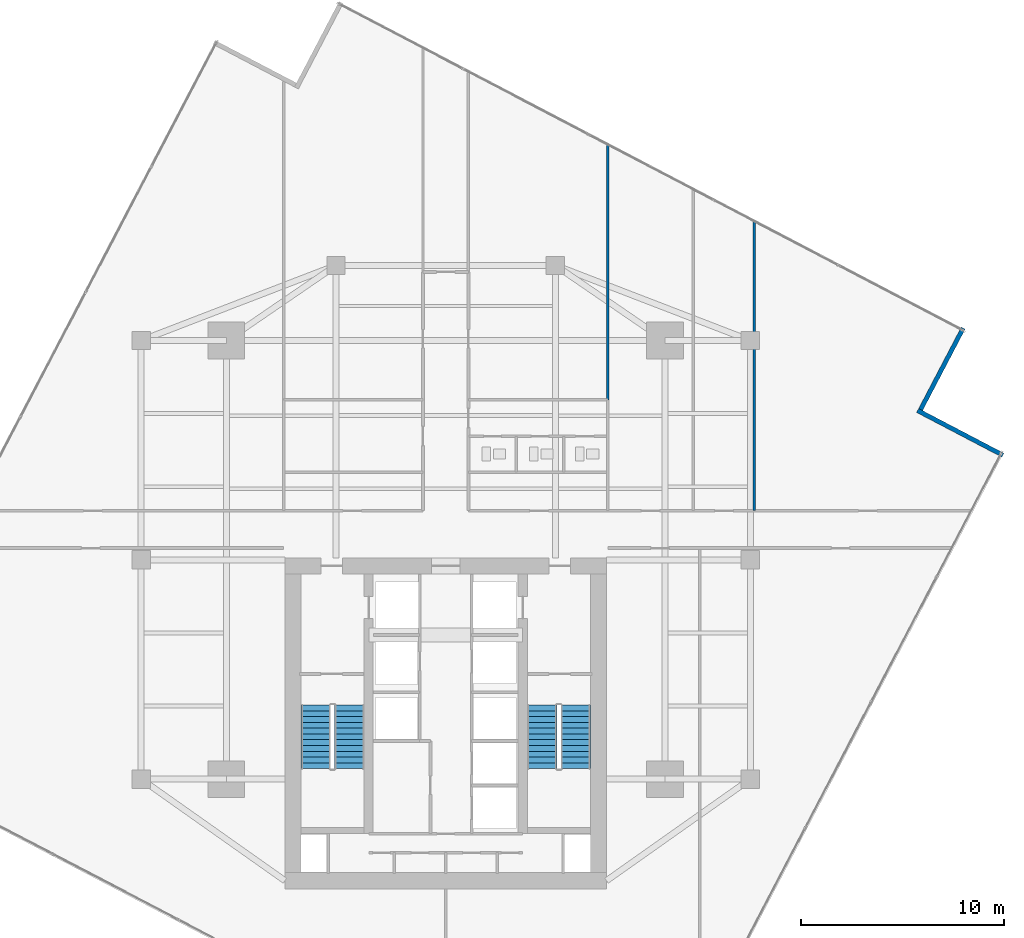
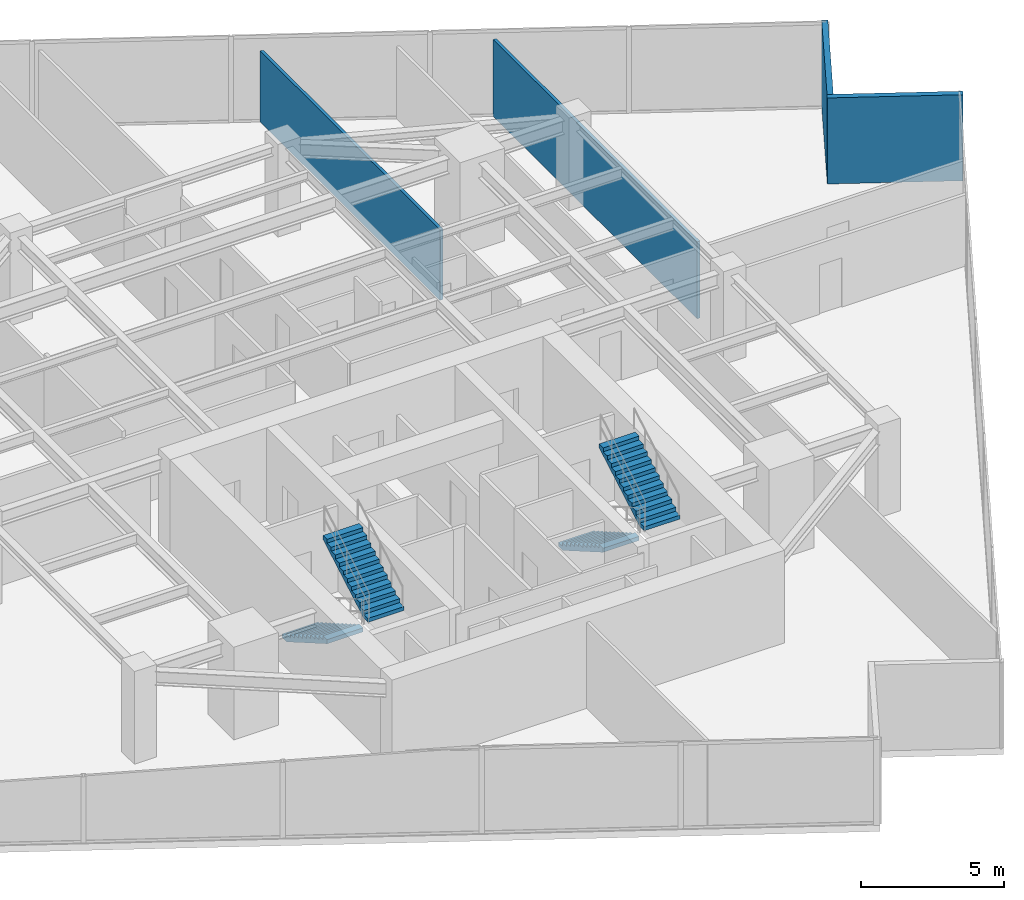
# One storey, part 25 of 27: 4 stair flights, 4 walls, 2 elements without a shape of their own.
"""IFC4 building model written with IfcOpenShell, lengths in metres."""

from ifc_helpers import new_model, si_unit, direction, frame, frame_2d, origin, place, context, subcontext, project, spatial, polyline, rectangle, outline, extrude, material, layer, layer_set, type_object, element, aggregate, save


model = new_model("IFC4")

# Units and contexts
model_context = context("Model", 3, precision=1e-05, world=origin(), true_north=direction((0.0, 1.0)))
body_context = subcontext(model_context, "Body", "Model", "MODEL_VIEW")
ifc_project = project(units=[si_unit("LENGTHUNIT", "METRE"), si_unit("AREAUNIT", "SQUARE_METRE"), si_unit("VOLUMEUNIT", "CUBIC_METRE"), si_unit("PLANEANGLEUNIT", "RADIAN"), si_unit("MASSUNIT", "GRAM", prefix="KILO")], contexts=[model_context])

# Site, building, storey
site_placement = place(None, origin())
site = spatial("IfcSite", under=ifc_project, at=site_placement, CompositionType="ELEMENT")
building_placement = place(site_placement, origin())
building = spatial("IfcBuilding", under=site, at=building_placement, Name="Krantzveldt Concourse Tower", CompositionType="ELEMENT")
storey_placement = place(building_placement, frame((0.0, 0.0, 158.050048828125)))
storey = spatial("IfcBuildingStorey", under=building, at=storey_placement, Name="L38", CompositionType="ELEMENT", Elevation=158.050048828125)

# Walls
ifc_material_1 = material(Name="Anodised aluminium 6063-T6", Category="aluminium")
ifc_layer_1 = layer(ifc_material_1, 0.219970703125, Name="Anodised aluminium 6063-T6", Category="aluminium")
ifc_layer_set_1 = layer_set([ifc_layer_1], Name="Anodised aluminium 6063-T6 (WL-EXT-NOTCH220)")
wall_type_1 = type_object("IfcWallType", Name="WL-EXT-NOTCH220", PredefinedType="ELEMENTEDWALL", material=ifc_layer_set_1)
wall_1_placement = place(storey_placement, frame((63.442626953125, 31.852783203125, 0.0), z_axis=(0.0, 0.0, 1.0), x_axis=(-0.886000663224, 0.463683970788, 0.0)))
element("IfcWall", 1, at=wall_1_placement, inside=storey, type_object=wall_type_1, Name="EW-L38-NCH08", PredefinedType="ELEMENTEDWALL", context=body_context, shape_type="SweptSolid", body=[
    extrude(rectangle(XDim=4.7451171875, YDim=0.219970703125, at=frame_2d((2.37255859375, 0.0))), origin(), (0.0, 0.0, 1.0), 3.669921875),
])
wall_2_placement = place(storey_placement, frame((59.386962890625, 34.099365234375, 0.0), z_axis=(0.0, 0.0, 1.0), x_axis=(0.463690434653, 0.885997280363, 0.0)))
element("IfcWall", 2, at=wall_2_placement, inside=storey, type_object=wall_type_1, Name="EW-L38-NCH09", PredefinedType="ELEMENTEDWALL", context=body_context, shape_type="SweptSolid", body=[
    extrude(rectangle(XDim=4.52490234375, YDim=0.219970703125, at=frame_2d((2.262451171875, 0.0))), origin(), (0.0, 0.0, 1.0), 3.669921875),
])
ifc_material_2 = material(Name="Fire-rated gypsum plasterboard on steel stud", Category="steel")
ifc_layer_2 = layer(ifc_material_2, 0.1201171875, Name="Fire-rated gypsum plasterboard on steel stud", Category="steel")
ifc_layer_set_2 = layer_set([ifc_layer_2], Name="Fire-rated gypsum plasterboard on steel stud (WL-PART-120)")
wall_type_2 = type_object("IfcWallType", Name="WL-PART-120", PredefinedType="PARTITIONING", material=ifc_layer_set_2)
wall_3_placement = place(storey_placement, frame((43.97998046875, 34.580078125, 0.0), z_axis=(0.0, 0.0, 1.0), x_axis=(0.0, 1.0, 0.0)))
element("IfcWall", 3, at=wall_3_placement, inside=storey, type_object=wall_type_2, Name="WP-L38-ISER2", PredefinedType="PARTITIONING", context=body_context, shape_type="SweptSolid", body=[
    extrude(rectangle(XDim=12.559814453125, YDim=0.1201171875, at=frame_2d((6.27978515625, 0.0))), origin(), (0.0, 0.0, 1.0), 3.030029296875),
])
wall_4_placement = place(storey_placement, frame((51.199951171875, 29.1201171875, 0.0), z_axis=(0.0, 0.0, 1.0), x_axis=(0.0, 1.0, 0.0)))
element("IfcWall", 4, at=wall_4_placement, inside=storey, type_object=wall_type_2, Name="WP-L38-NEX2", PredefinedType="PARTITIONING", context=body_context, shape_type="SweptSolid", body=[
    extrude(rectangle(XDim=14.2412109375, YDim=0.1201171875, at=frame_2d((7.12060546875, 0.0))), origin(), (0.0, 0.0, 1.0), 3.280029296875),
])

# Stair, stair flights
ifc_material_3 = material(Name="Precast concrete C40/50", Category="concrete")
stair_type = type_object("IfcStairType", Name="STR-CORE-DOGLEG", PredefinedType="HALF_TURN_STAIR", material=ifc_material_3)
stair_1_placement = place(storey_placement, origin())
stair_1 = element("IfcStair", 5, at=stair_1_placement, inside=storey, type_object=stair_type, Name="L38 Protected Escape Stair ST-1", PredefinedType="HALF_TURN_STAIR")
stair_flight_type = type_object("IfcStairFlightType", Name="STF-CORE-1450", PredefinedType="STRAIGHT", material=ifc_material_3)
stair_flight_1_placement = place(storey_placement, frame((29.60498046875, 19.550048828125, 0.0), z_axis=(0.0, 0.0, 1.0), x_axis=(0.0, -1.0, 0.0)))
stair_flight_1 = element("IfcStairFlight", 6, at=stair_flight_1_placement, type_object=stair_flight_type, Name="ST-1 flight 1", NumberOfRisers=12, NumberOfTreads=11, PredefinedType="STRAIGHT", RiserHeight=0.164583333, TreadLength=0.285, context=body_context, shape_type="SweptSolid", body=[
    extrude(outline(polyline([(0.0, 0.0), (0.0, 0.16455078125), (0.284912109375, 0.16455078125), (0.284912109375, 0.3291015625), (0.570068359375, 0.3291015625), (0.570068359375, 0.49365234375), (0.85498046875, 0.49365234375), (0.85498046875, 0.658447265625), (1.139892578125, 0.658447265625), (1.139892578125, 0.822998046875), (1.425048828125, 0.822998046875), (1.425048828125, 0.987548828125), (1.7099609375, 0.987548828125), (1.7099609375, 1.152099609375), (1.9951171875, 1.152099609375), (1.9951171875, 1.316650390625), (2.280029296875, 1.316650390625), (2.280029296875, 1.481201171875), (2.56494140625, 1.481201171875), (2.56494140625, 1.645751953125), (2.85009765625, 1.645751953125), (2.85009765625, 1.810302734375), (3.135009765625, 1.810302734375), (3.135009765625, 1.97509765625), (3.135009765625, 1.63720703125), (0.2998046875, 0.0), (0.0, 0.0)])), frame((0.0, 0.72509765625, 0.0), z_axis=(0.0, -1.0, 0.0), x_axis=(1.0, 0.0, 0.0)), (0.0, 0.0, 1.0), 1.449951171875),
])
stair_flight_2_placement = place(storey_placement, frame((31.2548828125, 16.4150390625, 1.974853515625), z_axis=(0.0, 0.0, 1.0), x_axis=(0.0, 1.0, 0.0)))
stair_flight_2 = element("IfcStairFlight", 7, at=stair_flight_2_placement, type_object=stair_flight_type, Name="ST-1 flight 2", NumberOfRisers=12, NumberOfTreads=11, PredefinedType="STRAIGHT", RiserHeight=0.164583333, TreadLength=0.285, context=body_context, shape_type="SweptSolid", body=[
    extrude(outline(polyline([(0.0, 0.0), (0.0, 0.16455078125), (0.284912109375, 0.16455078125), (0.284912109375, 0.3291015625), (0.570068359375, 0.3291015625), (0.570068359375, 0.49365234375), (0.85498046875, 0.49365234375), (0.85498046875, 0.658447265625), (1.139892578125, 0.658447265625), (1.139892578125, 0.822998046875), (1.425048828125, 0.822998046875), (1.425048828125, 0.987548828125), (1.7099609375, 0.987548828125), (1.7099609375, 1.152099609375), (1.9951171875, 1.152099609375), (1.9951171875, 1.316650390625), (2.280029296875, 1.316650390625), (2.280029296875, 1.481201171875), (2.56494140625, 1.481201171875), (2.56494140625, 1.645751953125), (2.85009765625, 1.645751953125), (2.85009765625, 1.810302734375), (3.135009765625, 1.810302734375), (3.135009765625, 1.97509765625), (3.135009765625, 1.63720703125), (0.2998046875, 0.0), (0.0, 0.0)])), frame((0.0, 0.72509765625, 0.0), z_axis=(0.0, -1.0, 0.0), x_axis=(1.0, 0.0, 0.0)), (0.0, 0.0, 1.0), 1.449951171875),
])
aggregate(stair_1, [stair_flight_1, stair_flight_2])

stair_2_placement = place(storey_placement, origin())
stair_2 = element("IfcStair", 8, at=stair_2_placement, inside=storey, type_object=stair_type, Name="L38 Protected Escape Stair ST-2", PredefinedType="HALF_TURN_STAIR")
stair_flight_3_placement = place(storey_placement, frame((40.7451171875, 19.550048828125, 0.0), z_axis=(0.0, 0.0, 1.0), x_axis=(0.0, -1.0, 0.0)))
stair_flight_3 = element("IfcStairFlight", 9, at=stair_flight_3_placement, type_object=stair_flight_type, Name="ST-2 flight 1", NumberOfRisers=12, NumberOfTreads=11, PredefinedType="STRAIGHT", RiserHeight=0.164583333, TreadLength=0.285, context=body_context, shape_type="SweptSolid", body=[
    extrude(outline(polyline([(0.0, 0.0), (0.0, 0.16455078125), (0.284912109375, 0.16455078125), (0.284912109375, 0.3291015625), (0.570068359375, 0.3291015625), (0.570068359375, 0.49365234375), (0.85498046875, 0.49365234375), (0.85498046875, 0.658447265625), (1.139892578125, 0.658447265625), (1.139892578125, 0.822998046875), (1.425048828125, 0.822998046875), (1.425048828125, 0.987548828125), (1.7099609375, 0.987548828125), (1.7099609375, 1.152099609375), (1.9951171875, 1.152099609375), (1.9951171875, 1.316650390625), (2.280029296875, 1.316650390625), (2.280029296875, 1.481201171875), (2.56494140625, 1.481201171875), (2.56494140625, 1.645751953125), (2.85009765625, 1.645751953125), (2.85009765625, 1.810302734375), (3.135009765625, 1.810302734375), (3.135009765625, 1.97509765625), (3.135009765625, 1.63720703125), (0.2998046875, 0.0), (0.0, 0.0)])), frame((0.0, 0.72509765625, 0.0), z_axis=(0.0, -1.0, 0.0), x_axis=(1.0, 0.0, 0.0)), (0.0, 0.0, 1.0), 1.449951171875),
])
stair_flight_4_placement = place(storey_placement, frame((42.39501953125, 16.4150390625, 1.974853515625), z_axis=(0.0, 0.0, 1.0), x_axis=(0.0, 1.0, 0.0)))
stair_flight_4 = element("IfcStairFlight", 10, at=stair_flight_4_placement, type_object=stair_flight_type, Name="ST-2 flight 2", NumberOfRisers=12, NumberOfTreads=11, PredefinedType="STRAIGHT", RiserHeight=0.164583333, TreadLength=0.285, context=body_context, shape_type="SweptSolid", body=[
    extrude(outline(polyline([(0.0, 0.0), (0.0, 0.16455078125), (0.284912109375, 0.16455078125), (0.284912109375, 0.3291015625), (0.570068359375, 0.3291015625), (0.570068359375, 0.49365234375), (0.85498046875, 0.49365234375), (0.85498046875, 0.658447265625), (1.139892578125, 0.658447265625), (1.139892578125, 0.822998046875), (1.425048828125, 0.822998046875), (1.425048828125, 0.987548828125), (1.7099609375, 0.987548828125), (1.7099609375, 1.152099609375), (1.9951171875, 1.152099609375), (1.9951171875, 1.316650390625), (2.280029296875, 1.316650390625), (2.280029296875, 1.481201171875), (2.56494140625, 1.481201171875), (2.56494140625, 1.645751953125), (2.85009765625, 1.645751953125), (2.85009765625, 1.810302734375), (3.135009765625, 1.810302734375), (3.135009765625, 1.97509765625), (3.135009765625, 1.63720703125), (0.2998046875, 0.0), (0.0, 0.0)])), frame((0.0, 0.72509765625, 0.0), z_axis=(0.0, -1.0, 0.0), x_axis=(1.0, 0.0, 0.0)), (0.0, 0.0, 1.0), 1.449951171875),
])
aggregate(stair_2, [stair_flight_3, stair_flight_4])

save(model, "model.ifc")
